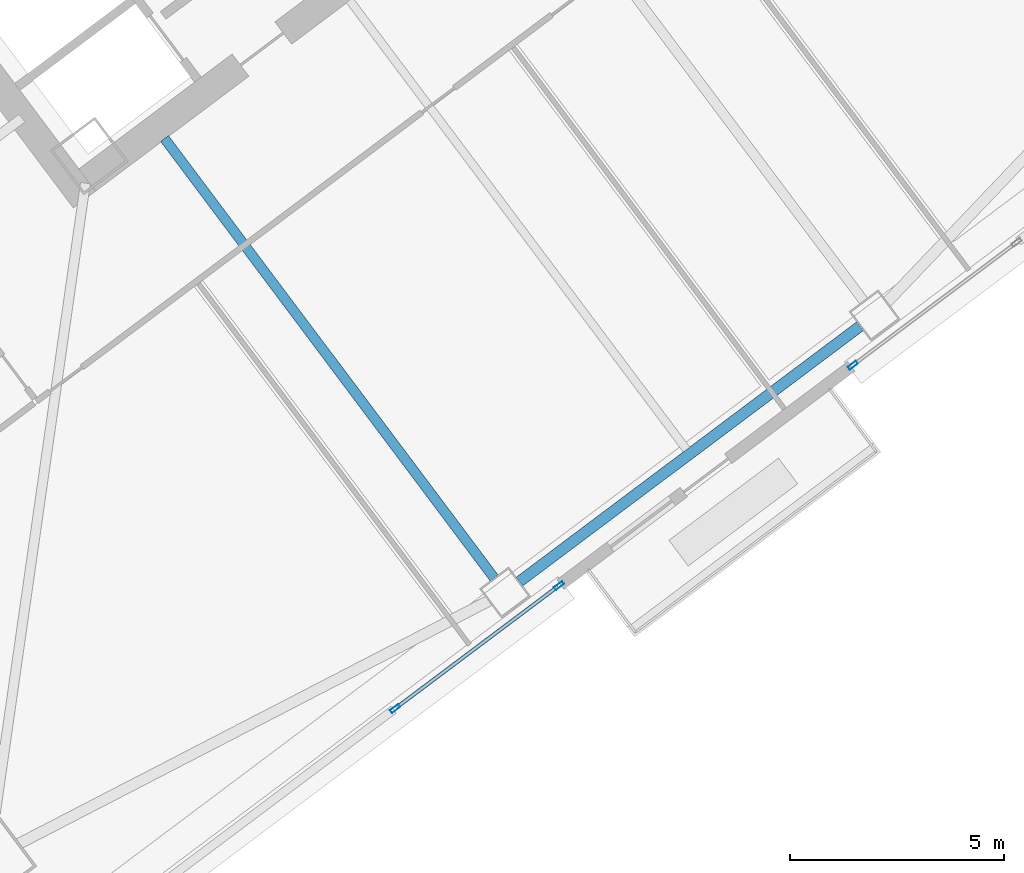
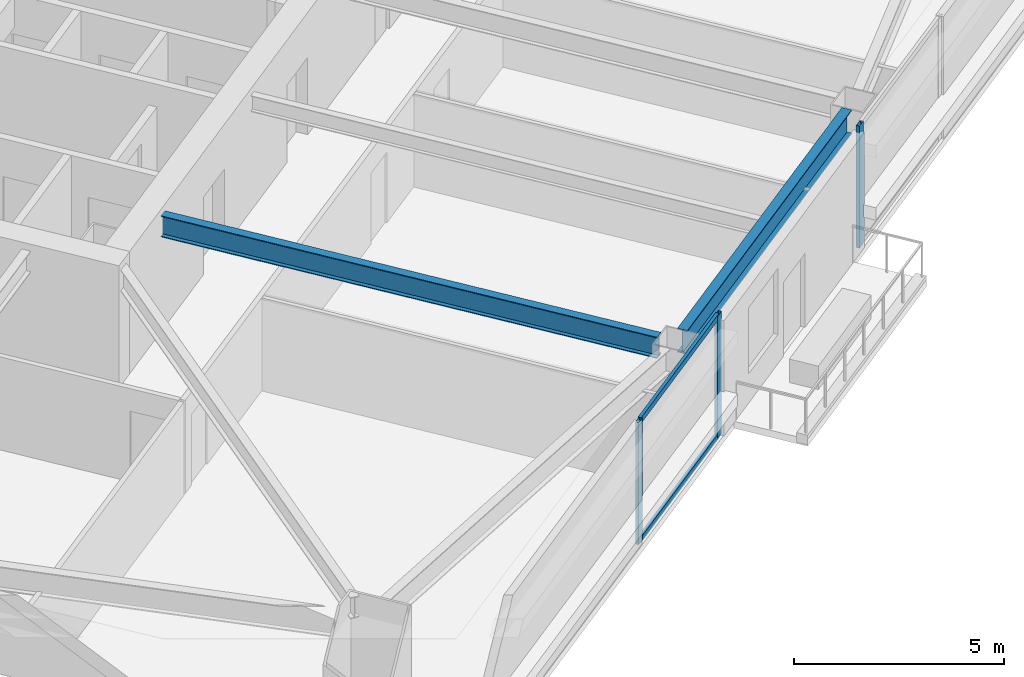
# One storey, part 25 of 48: 5 members, 2 beams, 2 elements without a shape of their own.
"""IFC4 building model written with IfcOpenShell, lengths in metres."""

from ifc_helpers import new_model, si_unit, direction, frame, origin, origin_2d, place, context, subcontext, project, spatial, hollow_rectangle, i_section, extrude, material, material_profile, profile_set, type_object, element, aggregate, save


model = new_model("IFC4")

# Units and contexts
model_context = context("Model", 3, precision=1e-05, world=origin(), true_north=direction((0.0, 1.0)))
body_context = subcontext(model_context, "Body", "Model", "MODEL_VIEW")
ifc_project = project(units=[si_unit("LENGTHUNIT", "METRE"), si_unit("AREAUNIT", "SQUARE_METRE"), si_unit("VOLUMEUNIT", "CUBIC_METRE"), si_unit("PLANEANGLEUNIT", "RADIAN"), si_unit("MASSUNIT", "GRAM", prefix="KILO")], contexts=[model_context])

# Site, building, storey
site_placement = place(None, origin())
site = spatial("IfcSite", under=ifc_project, at=site_placement, CompositionType="ELEMENT")
building_placement = place(site_placement, origin())
building = spatial("IfcBuilding", under=site, at=building_placement, Name="Tashvorn Skyway Center", CompositionType="ELEMENT")
storey_placement = place(building_placement, frame((0.0, 0.0, 53.0)))
storey = spatial("IfcBuildingStorey", under=building, at=storey_placement, Name="L13", CompositionType="ELEMENT", Elevation=53.0)

# Beams
ifc_material_1 = material(Name="Steel ASTM A992 Grade 50", Category="steel")
ifc_material_profile_1 = material_profile(ifc_material_1, i_section(OverallWidth=0.22998046875, OverallDepth=0.616943359375, WebThickness=0.01318359375, FlangeThickness=0.022216796875, at=origin_2d()), Name="W24X94")
ifc_profile_set_1 = profile_set([ifc_material_profile_1], Name="Steel ASTM A992 Grade 50")
beam_type_1 = type_object("IfcBeamType", Name="BM-BEAM-W24X94", PredefinedType="BEAM", material=ifc_profile_set_1)
beam_1_placement = place(storey_placement, frame((122.05810546875, 12.256103515625, 3.04150390625), z_axis=(-0.600018239213, 0.799986320265, 0.0), x_axis=(-0.799986320265, -0.600018239213, 0.0)))
element("IfcBeam", 1, at=beam_1_placement, inside=storey, type_object=beam_type_1, Name="Tower 2 L13 Primary Floor Girder FC-S1", PredefinedType="BEAM", context=body_context, shape_type="SweptSolid", body=[
    extrude(i_section(OverallWidth=0.22998046875, OverallDepth=0.616943359375, WebThickness=0.01318359375, FlangeThickness=0.022216796875, at=origin_2d()), origin(), (0.0, 0.0, 1.0), 12.849853515625),
])
ifc_material_profile_2 = material_profile(ifc_material_1, i_section(OverallWidth=0.256103515625, OverallDepth=0.693115234375, WebThickness=0.014404296875, FlangeThickness=0.023681640625, at=origin_2d()), Name="W27X114")
ifc_profile_set_2 = profile_set([ifc_material_profile_2], Name="Steel ASTM A992 Grade 50")
beam_type_2 = type_object("IfcBeamType", Name="BM-SPANDREL-W27X114", PredefinedType="SPANDREL", material=ifc_profile_set_2)
beam_2_placement = place(storey_placement, frame((122.64599609375, 12.172119140625, 3.00341796875), z_axis=(0.800008824351, 0.599988234018, 0.0), x_axis=(-0.599988234018, 0.800008824351, 0.0)))
element("IfcBeam", 2, at=beam_2_placement, inside=storey, type_object=beam_type_2, Name="Tower 2 L13 Spandrel Beam 02", PredefinedType="SPANDREL", context=body_context, shape_type="SweptSolid", body=[
    extrude(i_section(OverallWidth=0.256103515625, OverallDepth=0.693115234375, WebThickness=0.014404296875, FlangeThickness=0.023681640625, at=origin_2d()), origin(), (0.0, 0.0, 1.0), 9.9599609375),
])

# Curtain wall, member
ifc_material_2 = material(Name="Thermally broken bronze-anodized aluminium 6063-T6", Category="aluminium")
curtain_wall_type = type_object("IfcCurtainWallType", Name="CW-CW-Z1", PredefinedType="NOTDEFINED", material=ifc_material_2)
curtain_wall_1_placement = place(storey_placement, origin())
curtain_wall_1 = element("IfcCurtainWall", 3, at=curtain_wall_1_placement, inside=storey, type_object=curtain_wall_type, Name="Tower 2 L13 South Curtain Wall L Glazing Group 1", PredefinedType="NOTDEFINED")
ifc_material_profile_3 = material_profile(ifc_material_2, hollow_rectangle(XDim=0.0849609375, YDim=0.239990234375, WallThickness=0.0048828125, at=origin_2d()), Name="ALU-MULL-85x240")
ifc_profile_set_3 = profile_set([ifc_material_profile_3], Name="Thermally broken bronze-anodized aluminium 6063-T6")
member_type_1 = type_object("IfcMemberType", Name="CWM-CW-Z1", PredefinedType="MULLION", material=ifc_profile_set_3)
member_1_placement = place(storey_placement, frame((130.44189453125, 17.2314453125, 0.0), z_axis=(0.0, 0.0, 1.0), x_axis=(0.600003280937, -0.799997539287, 0.0)))
member_1 = element("IfcMember", 4, at=member_1_placement, type_object=member_type_1, Name="CW-Z1 mullion 2", PredefinedType="MULLION", context=body_context, shape_type="SweptSolid", body=[
    extrude(hollow_rectangle(XDim=0.0849609375, YDim=0.239990234375, WallThickness=0.0048828125, at=origin_2d()), origin(), (0.0, 0.0, 1.0), 3.550048828125),
])
aggregate(curtain_wall_1, [member_1])

# Curtain wall, members
curtain_wall_2_placement = place(storey_placement, origin())
curtain_wall_2 = element("IfcCurtainWall", 5, at=curtain_wall_2_placement, inside=storey, type_object=curtain_wall_type, Name="Tower 2 L13 South Curtain Wall R Glazing Group 1", PredefinedType="NOTDEFINED")
member_2_placement = place(storey_placement, frame((123.573974609375, 12.08056640625, 0.0), z_axis=(0.0, 0.0, 1.0), x_axis=(0.600003280937, -0.799997539287, 0.0)))
member_2 = element("IfcMember", 6, at=member_2_placement, type_object=member_type_1, Name="CW-Z1 mullion 1", PredefinedType="MULLION", context=body_context, shape_type="SweptSolid", body=[
    extrude(hollow_rectangle(XDim=0.0849609375, YDim=0.239990234375, WallThickness=0.0048828125, at=origin_2d()), origin(), (0.0, 0.0, 1.0), 3.550048828125),
])
member_3_placement = place(storey_placement, frame((119.74072265625, 9.20556640625, 0.0), z_axis=(0.0, 0.0, 1.0), x_axis=(0.600003280937, -0.799997539287, 0.0)))
member_3 = element("IfcMember", 7, at=member_3_placement, type_object=member_type_1, Name="CW-Z1 mullion 2", PredefinedType="MULLION", context=body_context, shape_type="SweptSolid", body=[
    extrude(hollow_rectangle(XDim=0.0849609375, YDim=0.239990234375, WallThickness=0.0048828125, at=origin_2d()), origin(), (0.0, 0.0, 1.0), 3.550048828125),
])
ifc_material_profile_4 = material_profile(ifc_material_2, hollow_rectangle(XDim=0.0849609375, YDim=0.1650390625, WallThickness=0.0048828125, at=origin_2d()), Name="ALU-TRAN-85x165")
ifc_profile_set_4 = profile_set([ifc_material_profile_4], Name="Thermally broken bronze-anodized aluminium 6063-T6")
member_type_2 = type_object("IfcMemberType", Name="CWT-CW-Z1", PredefinedType="USERDEFINED", material=ifc_profile_set_4)
member_4_placement = place(storey_placement, frame((123.5400390625, 12.054931640625, 0.04248046875), z_axis=(-0.800006224475, -0.59999170061, 0.0), x_axis=(0.59999170061, -0.800006224475, 0.0)))
member_4 = element("IfcMember", 8, at=member_4_placement, type_object=member_type_2, Name="CW-Z1 transom 1.1", ObjectType="TRANSOM", PredefinedType="USERDEFINED", context=body_context, shape_type="SweptSolid", body=[
    extrude(hollow_rectangle(XDim=0.0849609375, YDim=0.1650390625, WallThickness=0.0048828125, at=origin_2d()), origin(), (0.0, 0.0, 1.0), 4.706787109375),
])
member_5_placement = place(storey_placement, frame((123.5400390625, 12.054931640625, 3.507568359375), z_axis=(-0.800006224475, -0.59999170061, 0.0), x_axis=(0.59999170061, -0.800006224475, 0.0)))
member_5 = element("IfcMember", 9, at=member_5_placement, type_object=member_type_2, Name="CW-Z1 transom 1.2", ObjectType="TRANSOM", PredefinedType="USERDEFINED", context=body_context, shape_type="SweptSolid", body=[
    extrude(hollow_rectangle(XDim=0.0849609375, YDim=0.1650390625, WallThickness=0.0048828125, at=origin_2d()), origin(), (0.0, 0.0, 1.0), 4.706787109375),
])
aggregate(curtain_wall_2, [member_2, member_3, member_4, member_5])

save(model, "model.ifc")
